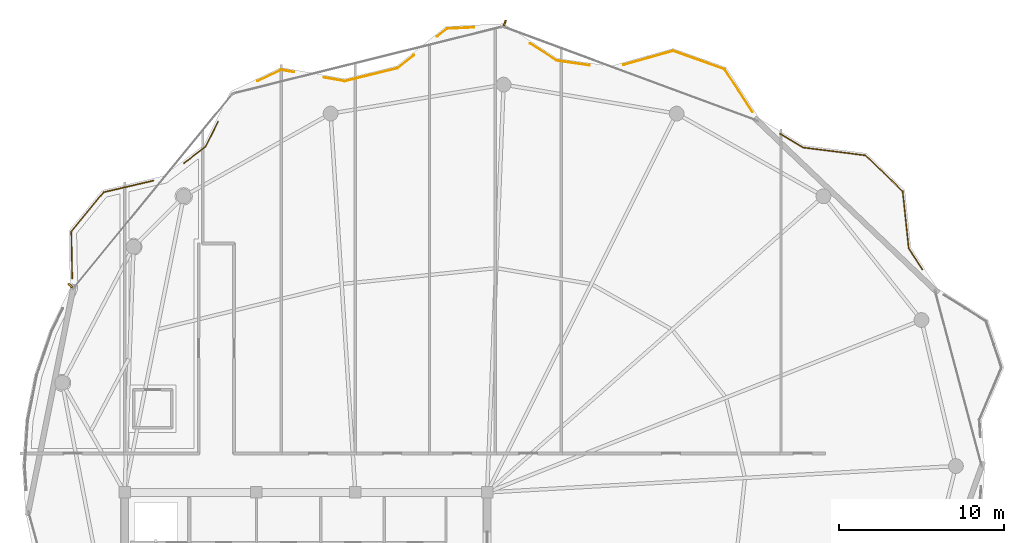
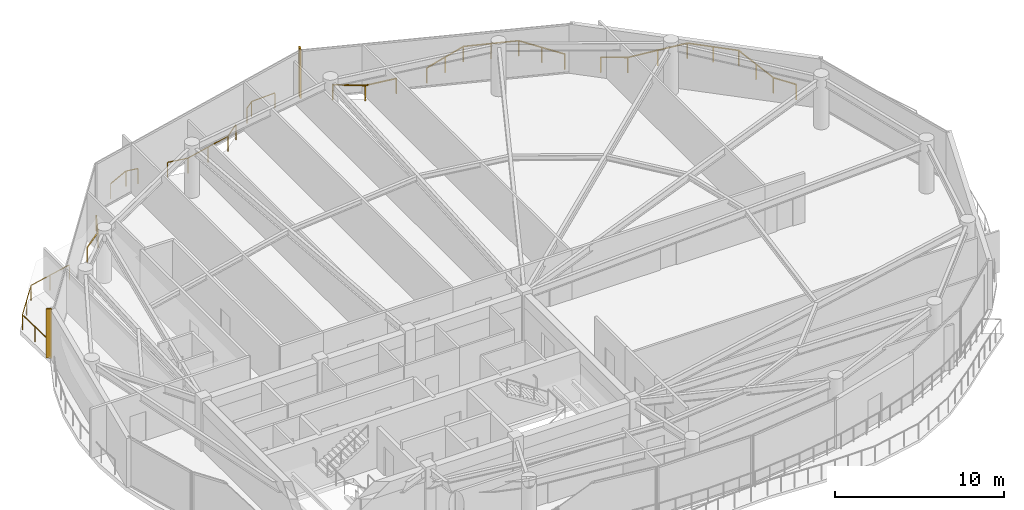
# One storey, part 29 of 29: 8 railings, 2 shading devices.
"""IFC4 building model written with IfcOpenShell, lengths in metres."""

from ifc_helpers import new_model, si_unit, direction, frame, origin, origin_2d, place, context, subcontext, project, spatial, rectangle, extrude, material, type_object, element, save


model = new_model("IFC4")

# Units and contexts
model_context = context("Model", 3, precision=1e-05, world=origin(), true_north=direction((0.0, 1.0)))
body_context = subcontext(model_context, "Body", "Model", "MODEL_VIEW")
ifc_project = project(units=[si_unit("LENGTHUNIT", "METRE"), si_unit("AREAUNIT", "SQUARE_METRE"), si_unit("VOLUMEUNIT", "CUBIC_METRE"), si_unit("PLANEANGLEUNIT", "RADIAN"), si_unit("MASSUNIT", "GRAM", prefix="KILO")], contexts=[model_context])

# Site, building, storey
site_placement = place(None, origin())
site = spatial("IfcSite", under=ifc_project, at=site_placement, CompositionType="ELEMENT")
building_placement = place(site_placement, origin())
building = spatial("IfcBuilding", under=site, at=building_placement, Name="Kazevale Care Tower and Concert Hall", CompositionType="ELEMENT")
storey_placement = place(building_placement, frame((0.0, 0.0, 281.39990234375)))
storey = spatial("IfcBuildingStorey", under=building, at=storey_placement, Name="L74", CompositionType="ELEMENT", Elevation=281.39990234375)

# Railings
ifc_material_1 = material(Name="Anodised Bronze Aluminium and Laminated Glass", Category="aluminium")
railing_type = type_object("IfcRailingType", Name="Balcony and Terrace Balustrade 1120", PredefinedType="BALUSTRADE", material=ifc_material_1)
railing_1_placement = place(storey_placement, frame((18.821044921875, 49.384033203125, 0.0)))
element("IfcRailing", 1, at=railing_1_placement, inside=storey, type_object=railing_type, Name="rail:L74:perim:2", PredefinedType="BALUSTRADE", context=body_context, shape_type="SweptSolid", body=[
    extrude(rectangle(XDim=0.048095703125, YDim=0.048095703125, at=origin_2d()), frame((0.0, 0.0, 1.09619140625), z_axis=(-0.019684594685, 0.999806239595, 0.0), x_axis=(-0.999806239595, -0.019684594685, 0.0)), (0.0, 0.0, 1.0), 2.8525390625),
    extrude(rectangle(XDim=0.048095703125, YDim=0.048095703125, at=origin_2d()), frame((-0.05615234375, 2.85205078125, 1.09619140625), z_axis=(0.635732243255, 0.771909654614, 0.0), x_axis=(-0.771909654614, 0.635732243255, 0.0)), (0.0, 0.0, 1.0), 3.081787109375),
    extrude(rectangle(XDim=0.048095703125, YDim=0.048095703125, at=origin_2d()), frame((1.903076171875, 5.23095703125, 1.09619140625), z_axis=(0.973717091903, 0.227760894218, 0.0), x_axis=(-0.227760894218, 0.973717091903, 0.0)), (0.0, 0.0, 1.0), 3.108642578125),
    extrude(rectangle(XDim=0.0419921875, YDim=0.0419921875, at=origin_2d()), origin(), (0.0, 0.0, 1.0), 1.072021484375),
    extrude(rectangle(XDim=0.0419921875, YDim=0.0419921875, at=origin_2d()), frame((-0.028076171875, 1.426025390625, 0.0)), (0.0, 0.0, 1.0), 1.072021484375),
    extrude(rectangle(XDim=0.0419921875, YDim=0.0419921875, at=origin_2d()), frame((-0.05615234375, 2.85205078125, 0.0)), (0.0, 0.0, 1.0), 1.072021484375),
    extrude(rectangle(XDim=0.0419921875, YDim=0.0419921875, at=origin_2d()), frame((0.92333984375, 4.04150390625, 0.0)), (0.0, 0.0, 1.0), 1.072021484375),
    extrude(rectangle(XDim=0.0419921875, YDim=0.0419921875, at=origin_2d()), frame((1.903076171875, 5.23095703125, 0.0)), (0.0, 0.0, 1.0), 1.072021484375),
    extrude(rectangle(XDim=0.0419921875, YDim=0.0419921875, at=origin_2d()), frame((3.41650390625, 5.5849609375, 0.0)), (0.0, 0.0, 1.0), 1.072021484375),
    extrude(rectangle(XDim=0.0419921875, YDim=0.0419921875, at=origin_2d()), frame((4.929931640625, 5.93896484375, 0.0)), (0.0, 0.0, 1.0), 1.072021484375),
])
railing_2_placement = place(storey_placement, frame((25.59912109375, 56.381103515625, 0.0)))
element("IfcRailing", 2, at=railing_2_placement, inside=storey, type_object=railing_type, Name="rail:L74:perim:3", PredefinedType="BALUSTRADE", context=body_context, shape_type="SweptSolid", body=[
    extrude(rectangle(XDim=0.048095703125, YDim=0.048095703125, at=origin_2d()), frame((0.0, 0.0, 1.09619140625), z_axis=(0.795462442942, 0.606002889323, 0.0), x_axis=(-0.606002889323, 0.795462442942, 0.0)), (0.0, 0.0, 1.0), 1.6416015625),
    extrude(rectangle(XDim=0.048095703125, YDim=0.048095703125, at=origin_2d()), frame((1.305908203125, 0.994873046875, 1.09619140625), z_axis=(0.44698682814, 0.894540538751, 0.0), x_axis=(-0.894540538751, 0.44698682814, 0.0)), (0.0, 0.0, 1.0), 1.72265625),
    extrude(rectangle(XDim=0.0419921875, YDim=0.0419921875, at=origin_2d()), origin(), (0.0, 0.0, 1.0), 1.072021484375),
    extrude(rectangle(XDim=0.0419921875, YDim=0.0419921875, at=origin_2d()), frame((1.305908203125, 0.994873046875, 0.0)), (0.0, 0.0, 1.0), 1.072021484375),
    extrude(rectangle(XDim=0.0419921875, YDim=0.0419921875, at=origin_2d()), frame((2.075927734375, 2.535888671875, 0.0)), (0.0, 0.0, 1.0), 1.072021484375),
])
railing_3_placement = place(storey_placement, frame((30.0830078125, 61.367919921875, 0.0)))
element("IfcRailing", 3, at=railing_3_placement, inside=storey, type_object=railing_type, Name="rail:L74:perim:4", PredefinedType="BALUSTRADE", context=body_context, shape_type="SweptSolid", body=[
    extrude(rectangle(XDim=0.048095703125, YDim=0.048095703125, at=origin_2d()), frame((0.0, 0.0, 1.09619140625), z_axis=(0.902765880036, 0.430132265522, 0.0), x_axis=(-0.430132265522, 0.902765880036, 0.0)), (0.0, 0.0, 1.0), 1.573974609375),
    extrude(rectangle(XDim=0.048095703125, YDim=0.048095703125, at=origin_2d()), frame((1.4208984375, 0.677001953125, 1.09619140625), z_axis=(0.984624142396, -0.174686285128, 0.0), x_axis=(0.174686285128, 0.984624142396, 0.0)), (0.0, 0.0, 1.0), 0.77294921875),
    extrude(rectangle(XDim=0.0419921875, YDim=0.0419921875, at=origin_2d()), origin(), (0.0, 0.0, 1.0), 1.072021484375),
    extrude(rectangle(XDim=0.0419921875, YDim=0.0419921875, at=origin_2d()), frame((1.4208984375, 0.677001953125, 0.0)), (0.0, 0.0, 1.0), 1.072021484375),
    extrude(rectangle(XDim=0.0419921875, YDim=0.0419921875, at=origin_2d()), frame((2.181884765625, 0.5419921875, 0.0)), (0.0, 0.0, 1.0), 1.072021484375),
])
railing_4_placement = place(storey_placement, frame((34.10400390625, 61.5830078125, 0.0)))
element("IfcRailing", 4, at=railing_4_placement, inside=storey, type_object=railing_type, Name="rail:L74:perim:5", PredefinedType="BALUSTRADE", context=body_context, shape_type="SweptSolid", body=[
    extrude(rectangle(XDim=0.048095703125, YDim=0.048095703125, at=origin_2d()), frame((0.0, 0.0, 1.09619140625), z_axis=(0.984640768369, -0.174592546421, 0.0), x_axis=(0.174592546421, 0.984640768369, 0.0)), (0.0, 0.0, 1.0), 1.276611328125),
    extrude(rectangle(XDim=0.048095703125, YDim=0.048095703125, at=origin_2d()), frame((1.257080078125, -0.222900390625, 1.09619140625), z_axis=(0.971156562417, 0.23844272116, 0.0), x_axis=(-0.23844272116, 0.971156562417, 0.0)), (0.0, 0.0, 1.0), 3.300048828125),
    extrude(rectangle(XDim=0.048095703125, YDim=0.048095703125, at=origin_2d()), frame((4.4619140625, 0.56396484375, 1.09619140625), z_axis=(0.781170621765, 0.624317595211, 0.0), x_axis=(-0.624317595211, 0.781170621765, 0.0)), (0.0, 0.0, 1.0), 1.26220703125),
    extrude(rectangle(XDim=0.0419921875, YDim=0.0419921875, at=origin_2d()), origin(), (0.0, 0.0, 1.0), 1.072021484375),
    extrude(rectangle(XDim=0.0419921875, YDim=0.0419921875, at=origin_2d()), frame((1.257080078125, -0.222900390625, 0.0)), (0.0, 0.0, 1.0), 1.072021484375),
    extrude(rectangle(XDim=0.0419921875, YDim=0.0419921875, at=origin_2d()), frame((2.859375, 0.17041015625, 0.0)), (0.0, 0.0, 1.0), 1.072021484375),
    extrude(rectangle(XDim=0.0419921875, YDim=0.0419921875, at=origin_2d()), frame((4.4619140625, 0.56396484375, 0.0)), (0.0, 0.0, 1.0), 1.072021484375),
    extrude(rectangle(XDim=0.0419921875, YDim=0.0419921875, at=origin_2d()), frame((5.447998046875, 1.35205078125, 0.0)), (0.0, 0.0, 1.0), 1.072021484375),
])
railing_5_placement = place(storey_placement, frame((40.972900390625, 64.071044921875, 0.0)))
element("IfcRailing", 5, at=railing_5_placement, inside=storey, type_object=railing_type, Name="rail:L74:perim:6", PredefinedType="BALUSTRADE", context=body_context, shape_type="SweptSolid", body=[
    extrude(rectangle(XDim=0.048095703125, YDim=0.048095703125, at=origin_2d()), frame((0.0, 0.0, 1.09619140625), z_axis=(0.780837342425, 0.624734379297, 0.0), x_axis=(-0.624734379297, 0.780837342425, 0.0)), (0.0, 0.0, 1.0), 0.757080078125),
    extrude(rectangle(XDim=0.048095703125, YDim=0.048095703125, at=origin_2d()), frame((0.591064453125, 0.472900390625, 1.09619140625), z_axis=(0.998853537497, 0.047870770106, 0.0), x_axis=(-0.047870770106, 0.998853537497, 0.0)), (0.0, 0.0, 1.0), 1.632080078125),
    extrude(rectangle(XDim=0.0419921875, YDim=0.0419921875, at=origin_2d()), origin(), (0.0, 0.0, 1.0), 1.072021484375),
    extrude(rectangle(XDim=0.0419921875, YDim=0.0419921875, at=origin_2d()), frame((0.591064453125, 0.472900390625, 0.0)), (0.0, 0.0, 1.0), 1.072021484375),
    extrude(rectangle(XDim=0.0419921875, YDim=0.0419921875, at=origin_2d()), frame((2.22119140625, 0.551025390625, 0.0)), (0.0, 0.0, 1.0), 1.072021484375),
])
railing_6_placement = place(storey_placement, frame((46.60205078125, 63.65087890625, 0.0)))
element("IfcRailing", 6, at=railing_6_placement, inside=storey, type_object=railing_type, Name="rail:L74:perim:7", PredefinedType="BALUSTRADE", context=body_context, shape_type="SweptSolid", body=[
    extrude(rectangle(XDim=0.048095703125, YDim=0.048095703125, at=origin_2d()), frame((0.0, 0.0, 1.09619140625), z_axis=(0.840580024656, -0.541687384151, 0.0), x_axis=(0.541687384151, 0.840580024656, 0.0)), (0.0, 0.0, 1.0), 1.923583984375),
    extrude(rectangle(XDim=0.048095703125, YDim=0.048095703125, at=origin_2d()), frame((1.616943359375, -1.0419921875, 1.09619140625), z_axis=(0.989675952346, -0.143323094261, 0.0), x_axis=(0.143323094261, 0.989675952346, 0.0)), (0.0, 0.0, 1.0), 1.99462890625),
    extrude(rectangle(XDim=0.0419921875, YDim=0.0419921875, at=origin_2d()), origin(), (0.0, 0.0, 1.0), 1.072021484375),
    extrude(rectangle(XDim=0.0419921875, YDim=0.0419921875, at=origin_2d()), frame((1.616943359375, -1.0419921875, 0.0)), (0.0, 0.0, 1.0), 1.072021484375),
    extrude(rectangle(XDim=0.0419921875, YDim=0.0419921875, at=origin_2d()), frame((3.591064453125, -1.327880859375, 0.0)), (0.0, 0.0, 1.0), 1.072021484375),
])
railing_7_placement = place(storey_placement, frame((52.297119140625, 62.35498046875, 0.0)))
element("IfcRailing", 7, at=railing_7_placement, inside=storey, type_object=railing_type, Name="rail:L74:perim:8", PredefinedType="BALUSTRADE", context=body_context, shape_type="SweptSolid", body=[
    extrude(rectangle(XDim=0.048095703125, YDim=0.048095703125, at=origin_2d()), frame((0.0, 0.0, 1.09619140625), z_axis=(0.962541888318, 0.271133017601, 0.0), x_axis=(-0.271133017601, 0.962541888318, 0.0)), (0.0, 0.0, 1.0), 3.10205078125),
    extrude(rectangle(XDim=0.048095703125, YDim=0.048095703125, at=origin_2d()), frame((2.98583984375, 0.841064453125, 1.09619140625), z_axis=(0.941811449512, -0.336141627247, 0.0), x_axis=(0.336141627247, 0.941811449512, 0.0)), (0.0, 0.0, 1.0), 3.335205078125),
    extrude(rectangle(XDim=0.048095703125, YDim=0.048095703125, at=origin_2d()), frame((6.126953125, -0.280029296875, 1.09619140625), z_axis=(0.544988350595, -0.838443616301, 0.0), x_axis=(0.838443616301, 0.544988350595, 0.0)), (0.0, 0.0, 1.0), 3.080810546875),
    extrude(rectangle(XDim=0.0419921875, YDim=0.0419921875, at=origin_2d()), origin(), (0.0, 0.0, 1.0), 1.072021484375),
    extrude(rectangle(XDim=0.0419921875, YDim=0.0419921875, at=origin_2d()), frame((1.492919921875, 0.42041015625, 0.0)), (0.0, 0.0, 1.0), 1.072021484375),
    extrude(rectangle(XDim=0.0419921875, YDim=0.0419921875, at=origin_2d()), frame((2.98583984375, 0.841064453125, 0.0)), (0.0, 0.0, 1.0), 1.072021484375),
    extrude(rectangle(XDim=0.0419921875, YDim=0.0419921875, at=origin_2d()), frame((4.556396484375, 0.280517578125, 0.0)), (0.0, 0.0, 1.0), 1.072021484375),
    extrude(rectangle(XDim=0.0419921875, YDim=0.0419921875, at=origin_2d()), frame((6.126953125, -0.280029296875, 0.0)), (0.0, 0.0, 1.0), 1.072021484375),
    extrude(rectangle(XDim=0.0419921875, YDim=0.0419921875, at=origin_2d()), frame((6.96630859375, -1.571533203125, 0.0)), (0.0, 0.0, 1.0), 1.072021484375),
    extrude(rectangle(XDim=0.0419921875, YDim=0.0419921875, at=origin_2d()), frame((7.805908203125, -2.863037109375, 0.0)), (0.0, 0.0, 1.0), 1.072021484375),
])
railing_8_placement = place(storey_placement, frame((61.777099609375, 58.16796875, 0.0)))
element("IfcRailing", 8, at=railing_8_placement, inside=storey, type_object=railing_type, Name="rail:L74:perim:9", PredefinedType="BALUSTRADE", context=body_context, shape_type="SweptSolid", body=[
    extrude(rectangle(XDim=0.048095703125, YDim=0.048095703125, at=origin_2d()), frame((0.0, 0.0, 1.09619140625), z_axis=(0.855619888467, -0.517604681645, 0.0), x_axis=(0.517604681645, 0.855619888467, 0.0)), (0.0, 0.0, 1.0), 1.614990234375),
    extrude(rectangle(XDim=0.048095703125, YDim=0.048095703125, at=origin_2d()), frame((1.3818359375, -0.8359375, 1.09619140625), z_axis=(0.992164806557, -0.124935970122, 0.0), x_axis=(0.124935970122, 0.992164806557, 0.0)), (0.0, 0.0, 1.0), 3.833984375),
    extrude(rectangle(XDim=0.048095703125, YDim=0.048095703125, at=origin_2d()), frame((5.185791015625, -1.31494140625, 1.09619140625), z_axis=(0.719603950187, -0.694384731165, 0.0), x_axis=(0.694384731165, 0.719603950187, 0.0)), (0.0, 0.0, 1.0), 3.136474609375),
    extrude(rectangle(XDim=0.048095703125, YDim=0.048095703125, at=origin_2d()), frame((7.44287109375, -3.492919921875, 1.09619140625), z_axis=(0.105630257009, -0.994405475047, 0.0), x_axis=(0.994405475047, 0.105630257009, 0.0)), (0.0, 0.0, 1.0), 3.49462890625),
    extrude(rectangle(XDim=0.048095703125, YDim=0.048095703125, at=origin_2d()), frame((7.81201171875, -6.968017578125, 1.09619140625), z_axis=(0.543819718674, -0.839202069576, 0.0), x_axis=(0.839202069576, 0.543819718674, 0.0)), (0.0, 0.0, 1.0), 1.513427734375),
    extrude(rectangle(XDim=0.0419921875, YDim=0.0419921875, at=origin_2d()), origin(), (0.0, 0.0, 1.0), 1.072021484375),
    extrude(rectangle(XDim=0.0419921875, YDim=0.0419921875, at=origin_2d()), frame((1.3818359375, -0.8359375, 0.0)), (0.0, 0.0, 1.0), 1.072021484375),
    extrude(rectangle(XDim=0.0419921875, YDim=0.0419921875, at=origin_2d()), frame((3.28369140625, -1.075439453125, 0.0)), (0.0, 0.0, 1.0), 1.072021484375),
    extrude(rectangle(XDim=0.0419921875, YDim=0.0419921875, at=origin_2d()), frame((5.185791015625, -1.31494140625, 0.0)), (0.0, 0.0, 1.0), 1.072021484375),
    extrude(rectangle(XDim=0.0419921875, YDim=0.0419921875, at=origin_2d()), frame((6.314453125, -2.40380859375, 0.0)), (0.0, 0.0, 1.0), 1.072021484375),
    extrude(rectangle(XDim=0.0419921875, YDim=0.0419921875, at=origin_2d()), frame((7.44287109375, -3.492919921875, 0.0)), (0.0, 0.0, 1.0), 1.072021484375),
    extrude(rectangle(XDim=0.0419921875, YDim=0.0419921875, at=origin_2d()), frame((7.62744140625, -5.23046875, 0.0)), (0.0, 0.0, 1.0), 1.072021484375),
    extrude(rectangle(XDim=0.0419921875, YDim=0.0419921875, at=origin_2d()), frame((7.81201171875, -6.968017578125, 0.0)), (0.0, 0.0, 1.0), 1.072021484375),
    extrude(rectangle(XDim=0.0419921875, YDim=0.0419921875, at=origin_2d()), frame((8.635009765625, -8.238037109375, 0.0)), (0.0, 0.0, 1.0), 1.072021484375),
])

# Shading devices
ifc_material_2 = material(Name="Anodised Bronze Aluminium", Category="aluminium")
shading_device_type = type_object("IfcShadingDeviceType", Name="Waist Anodised Bronze-Stone Fin FIN-02", PredefinedType="USERDEFINED", material=ifc_material_2)
for number, where, z_axis, x_axis, name in (
    (9, (18.7001953125, 48.95703125, 0.0), (0.0, 0.0, 1.0), (-0.773840209727, 0.633380872628, 0.0), "cw:L74:f14:fin"),
    (10, (45.077392578125, 64.893310546875, 0.0), (0.0, 0.0, 1.0), (0.346935651573, 0.937888934612, 0.0), "cw:L74:f16:fin"),
):
    element("IfcShadingDevice", number, at=place(storey_placement, frame(where, z_axis=z_axis, x_axis=x_axis)), inside=storey, type_object=shading_device_type, Name=name, ObjectType="FIN", PredefinedType="USERDEFINED", context=body_context, shape_type="SweptSolid", body=[
        extrude(rectangle(XDim=0.340087890625, YDim=0.10009765625, at=origin_2d()), origin(), (0.0, 0.0, 1.0), 3.56005859375),
    ])

save(model, "model.ifc")
